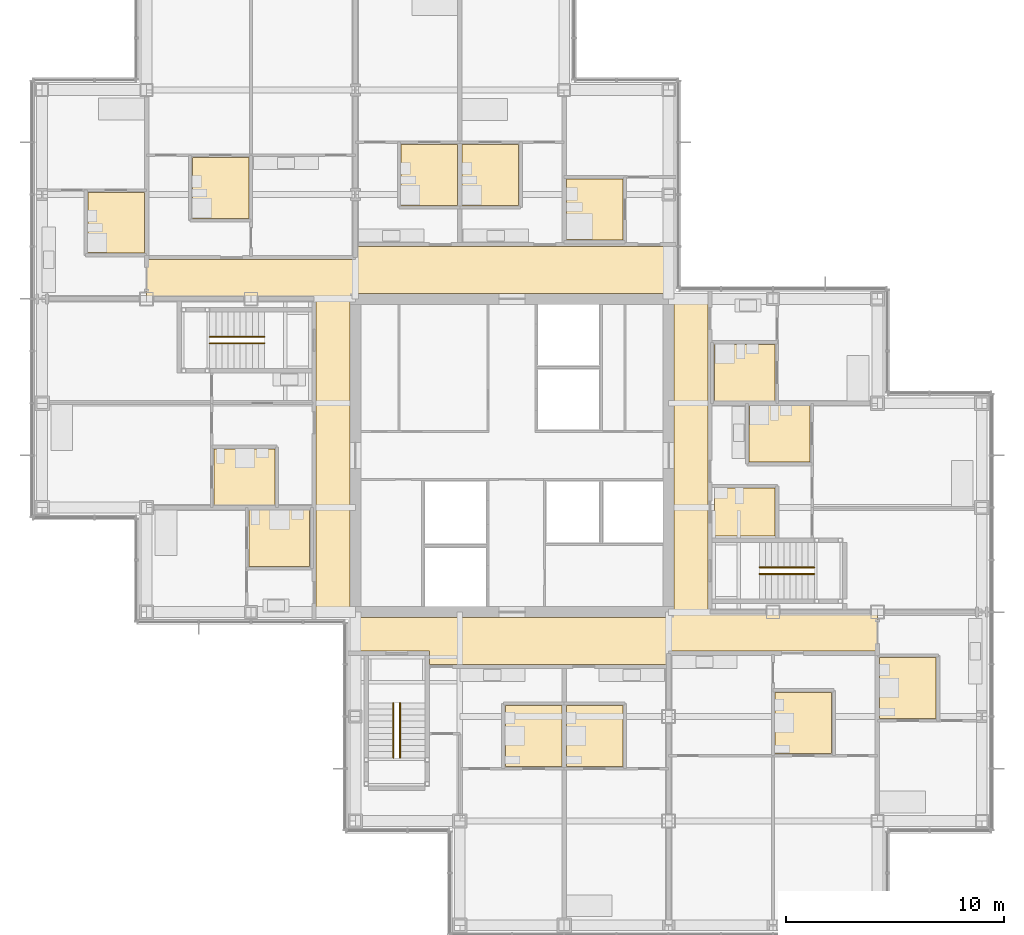
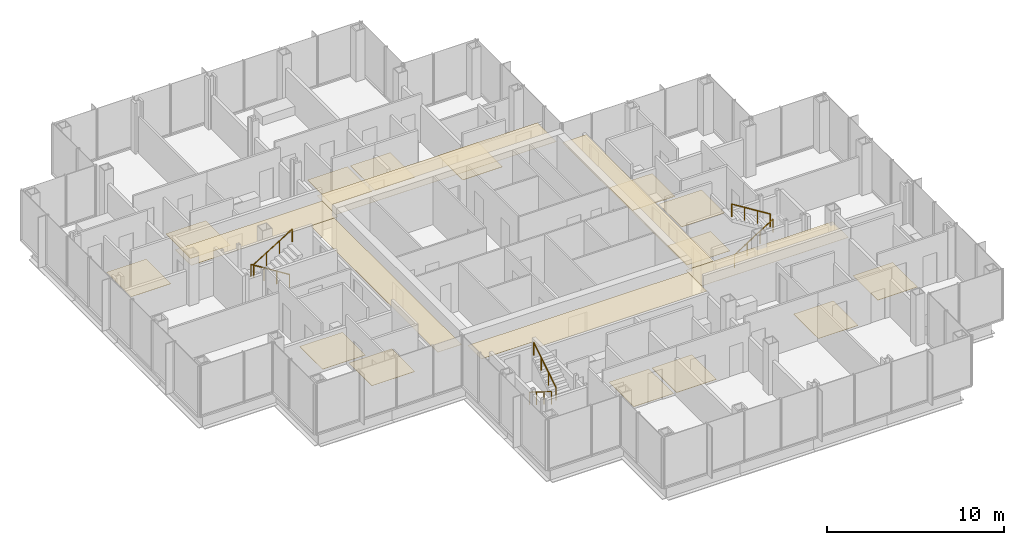
# One storey, part 18 of 20: 20 coverings, 6 railings.
"""IFC4 building model written with IfcOpenShell, lengths in metres."""

from ifc_helpers import new_model, si_unit, direction, frame, origin, origin_2d, place, context, subcontext, project, spatial, polyline, circle, outline, extrude, material, layer, layer_set, type_object, element, save


model = new_model("IFC4")

# Units and contexts
model_context = context("Model", 3, precision=1e-05, world=origin(), true_north=direction((0.0, 1.0)))
body_context = subcontext(model_context, "Body", "Model", "MODEL_VIEW")
ifc_project = project(units=[si_unit("LENGTHUNIT", "METRE"), si_unit("AREAUNIT", "SQUARE_METRE"), si_unit("VOLUMEUNIT", "CUBIC_METRE"), si_unit("PLANEANGLEUNIT", "RADIAN"), si_unit("MASSUNIT", "GRAM", prefix="KILO")], contexts=[model_context])

# Site, building, storey
site_placement = place(None, origin())
site = spatial("IfcSite", under=ifc_project, at=site_placement, CompositionType="ELEMENT")
building_placement = place(site_placement, origin())
building = spatial("IfcBuilding", under=site, at=building_placement, Name="Kvirike Care Tower", CompositionType="ELEMENT")
storey_placement = place(building_placement, frame((0.0, 0.0, 101.5)))
storey = spatial("IfcBuildingStorey", under=building, at=storey_placement, Name="L27", CompositionType="ELEMENT", Elevation=101.5)

# Coverings
ifc_material_1 = material(Name="Perforated metal ceiling tile", Category="aluminium")
ifc_layer_1 = layer(ifc_material_1, 0.014892578125)
ifc_layer_set_1 = layer_set([ifc_layer_1], Name="CORRIDOR CEILING 15")
covering_type_1 = type_object("IfcCoveringType", Name="CORRIDOR CEILING 15", PredefinedType="CEILING", material=ifc_layer_set_1)
covering_1_placement = place(storey_placement, frame((0.0, 0.0, 2.5)))
element("IfcCovering", 1, at=covering_1_placement, inside=storey, type_object=covering_type_1, Name="Corridor ceiling L27", PredefinedType="CEILING", context=body_context, shape_type="SweptSolid", body=[
    extrude(outline(polyline([(12.60009765625, 43.199951171875), (14.14990234375, 43.199951171875), (14.14990234375, 28.800048828125), (12.60009765625, 28.800048828125), (12.60009765625, 43.199951171875)])), origin(), (0.0, 0.0, 1.0), 0.014892578125),
])
covering_2_placement = place(storey_placement, frame((0.0, 0.0, 2.5)))
element("IfcCovering", 2, at=covering_2_placement, inside=storey, type_object=covering_type_1, Name="Corridor ceiling L27", PredefinedType="CEILING", context=body_context, shape_type="SweptSolid", body=[
    extrude(outline(polyline([(14.39990234375, 45.0), (14.39990234375, 43.199951171875), (4.800048828125, 43.199951171875), (4.800048828125, 45.0), (14.39990234375, 45.0)])), origin(), (0.0, 0.0, 1.0), 0.014892578125),
])
covering_3_placement = place(storey_placement, frame((0.0, 0.0, 2.5)))
element("IfcCovering", 3, at=covering_3_placement, inside=storey, type_object=covering_type_1, Name="Corridor ceiling L27", PredefinedType="CEILING", context=body_context, shape_type="SweptSolid", body=[
    extrude(outline(polyline([(14.39990234375, 28.550048828125), (28.800048828125, 28.550048828125), (28.800048828125, 26.39990234375), (17.800048828125, 26.39990234375), (17.800048828125, 27.0), (14.39990234375, 27.0), (14.39990234375, 28.550048828125)])), origin(), (0.0, 0.0, 1.0), 0.014892578125),
])
covering_4_placement = place(storey_placement, frame((0.0, 0.0, 2.5)))
element("IfcCovering", 4, at=covering_4_placement, inside=storey, type_object=covering_type_1, Name="Corridor ceiling L27", PredefinedType="CEILING", context=body_context, shape_type="SweptSolid", body=[
    extrude(outline(polyline([(28.800048828125, 45.60009765625), (28.800048828125, 43.449951171875), (14.39990234375, 43.449951171875), (14.39990234375, 45.60009765625), (28.800048828125, 45.60009765625)])), origin(), (0.0, 0.0, 1.0), 0.014892578125),
])
covering_5_placement = place(storey_placement, frame((0.0, 0.0, 2.5)))
element("IfcCovering", 5, at=covering_5_placement, inside=storey, type_object=covering_type_1, Name="Corridor ceiling L27", PredefinedType="CEILING", context=body_context, shape_type="SweptSolid", body=[
    extrude(outline(polyline([(28.800048828125, 27.0), (28.800048828125, 28.800048828125), (38.39990234375, 28.800048828125), (38.39990234375, 27.0), (28.800048828125, 27.0)])), origin(), (0.0, 0.0, 1.0), 0.014892578125),
])
covering_6_placement = place(storey_placement, frame((0.0, 0.0, 2.5)))
element("IfcCovering", 6, at=covering_6_placement, inside=storey, type_object=covering_type_1, Name="Corridor ceiling L27", PredefinedType="CEILING", context=body_context, shape_type="SweptSolid", body=[
    extrude(outline(polyline([(30.60009765625, 28.800048828125), (29.050048828125, 28.800048828125), (29.050048828125, 43.199951171875), (30.60009765625, 43.199951171875), (30.60009765625, 28.800048828125)])), origin(), (0.0, 0.0, 1.0), 0.014892578125),
])

# Railings
ifc_material_2 = material(Name="Stainless steel handrail", Category="steel")
railing_type = type_object("IfcRailingType", Name="STAIR HANDRAIL 900", PredefinedType="HANDRAIL", material=ifc_material_2)
railing_1_placement = place(storey_placement, frame((10.219970703125, 41.449951171875, 0.175048828125)))
element("IfcRailing", 7, at=railing_1_placement, inside=storey, type_object=railing_type, Name="Stair 1 handrail L27 flight 1", PredefinedType="HANDRAIL", context=body_context, shape_type="SweptSolid", body=[
    extrude(circle(Radius=0.02490234375, at=origin_2d()), frame((0.0, 0.0, 0.875), z_axis=(-0.848007534815, 0.0, 0.529984170421), x_axis=(0.0, -1.0, 0.0)), (0.0, 0.0, 1.0), 2.9716796875),
    extrude(circle(Radius=0.02001953125, at=origin_2d()), origin(), (0.0, 0.0, 1.0), 0.849853515625),
    extrude(circle(Radius=0.02001953125, at=origin_2d()), frame((-0.840087890625, 0.0, 0.52490234375)), (0.0, 0.0, 1.0), 0.849853515625),
    extrude(circle(Radius=0.02001953125, at=origin_2d()), frame((-1.679931640625, 0.0, 1.050048828125)), (0.0, 0.0, 1.0), 0.849853515625),
    extrude(circle(Radius=0.02001953125, at=origin_2d()), frame((-2.52001953125, 0.0, 1.574951171875)), (0.0, 0.0, 1.0), 0.849853515625),
])
for number, where, name in (
    (8, (7.699951171875, 41.14990234375, 1.925048828125), "Stair 1 handrail L27 flight 2"),
    (9, (32.97998046875, 30.550048828125, 0.175048828125), "Stair 2 handrail L27 flight 1"),
):
    element("IfcRailing", number, at=place(storey_placement, frame(where)), inside=storey, type_object=railing_type, Name=name, PredefinedType="HANDRAIL", context=body_context, shape_type="SweptSolid", body=[
        extrude(circle(Radius=0.02490234375, at=origin_2d()), frame((0.0, 0.0, 0.875), z_axis=(0.848007534815, 0.0, 0.529984170421), x_axis=(0.0, 1.0, 0.0)), (0.0, 0.0, 1.0), 2.9716796875),
        extrude(circle(Radius=0.02001953125, at=origin_2d()), origin(), (0.0, 0.0, 1.0), 0.849853515625),
        extrude(circle(Radius=0.02001953125, at=origin_2d()), frame((0.840087890625, 0.0, 0.52490234375)), (0.0, 0.0, 1.0), 0.849853515625),
        extrude(circle(Radius=0.02001953125, at=origin_2d()), frame((1.679931640625, 0.0, 1.050048828125)), (0.0, 0.0, 1.0), 0.849853515625),
        extrude(circle(Radius=0.02001953125, at=origin_2d()), frame((2.52001953125, 0.0, 1.574951171875)), (0.0, 0.0, 1.0), 0.849853515625),
    ])
railing_2_placement = place(storey_placement, frame((35.5, 30.85009765625, 1.925048828125)))
element("IfcRailing", 10, at=railing_2_placement, inside=storey, type_object=railing_type, Name="Stair 2 handrail L27 flight 2", PredefinedType="HANDRAIL", context=body_context, shape_type="SweptSolid", body=[
    extrude(circle(Radius=0.02490234375, at=origin_2d()), frame((0.0, 0.0, 0.875), z_axis=(-0.848007534815, 0.0, 0.529984170421), x_axis=(0.0, -1.0, 0.0)), (0.0, 0.0, 1.0), 2.9716796875),
    extrude(circle(Radius=0.02001953125, at=origin_2d()), origin(), (0.0, 0.0, 1.0), 0.849853515625),
    extrude(circle(Radius=0.02001953125, at=origin_2d()), frame((-0.840087890625, 0.0, 0.52490234375)), (0.0, 0.0, 1.0), 0.849853515625),
    extrude(circle(Radius=0.02001953125, at=origin_2d()), frame((-1.679931640625, 0.0, 1.050048828125)), (0.0, 0.0, 1.0), 0.849853515625),
    extrude(circle(Radius=0.02001953125, at=origin_2d()), frame((-2.52001953125, 0.0, 1.574951171875)), (0.0, 0.0, 1.0), 0.849853515625),
])
railing_3_placement = place(storey_placement, frame((16.14990234375, 24.6201171875, 0.175048828125)))
element("IfcRailing", 11, at=railing_3_placement, inside=storey, type_object=railing_type, Name="Stair 5 handrail L27 flight 1", PredefinedType="HANDRAIL", context=body_context, shape_type="SweptSolid", body=[
    extrude(circle(Radius=0.02490234375, at=origin_2d()), frame((0.0, 0.0, 0.875), z_axis=(0.0, -0.848007534815, 0.529984170421), x_axis=(1.0, 0.0, 0.0)), (0.0, 0.0, 1.0), 2.9716796875),
    extrude(circle(Radius=0.02001953125, at=origin_2d()), origin(), (0.0, 0.0, 1.0), 0.849853515625),
    extrude(circle(Radius=0.02001953125, at=origin_2d()), frame((0.0, -0.840087890625, 0.52490234375)), (0.0, 0.0, 1.0), 0.849853515625),
    extrude(circle(Radius=0.02001953125, at=origin_2d()), frame((0.0, -1.679931640625, 1.050048828125)), (0.0, 0.0, 1.0), 0.849853515625),
    extrude(circle(Radius=0.02001953125, at=origin_2d()), frame((0.0, -2.52001953125, 1.574951171875)), (0.0, 0.0, 1.0), 0.849853515625),
])
railing_4_placement = place(storey_placement, frame((16.449951171875, 22.10009765625, 1.925048828125)))
element("IfcRailing", 12, at=railing_4_placement, inside=storey, type_object=railing_type, Name="Stair 5 handrail L27 flight 2", PredefinedType="HANDRAIL", context=body_context, shape_type="SweptSolid", body=[
    extrude(circle(Radius=0.02490234375, at=origin_2d()), frame((0.0, 0.0, 0.875), z_axis=(0.0, 0.848007534815, 0.529984170421), x_axis=(-1.0, 0.0, 0.0)), (0.0, 0.0, 1.0), 2.9716796875),
    extrude(circle(Radius=0.02001953125, at=origin_2d()), origin(), (0.0, 0.0, 1.0), 0.849853515625),
    extrude(circle(Radius=0.02001953125, at=origin_2d()), frame((0.0, 0.840087890625, 0.52490234375)), (0.0, 0.0, 1.0), 0.849853515625),
    extrude(circle(Radius=0.02001953125, at=origin_2d()), frame((0.0, 1.679931640625, 1.050048828125)), (0.0, 0.0, 1.0), 0.849853515625),
    extrude(circle(Radius=0.02001953125, at=origin_2d()), frame((0.0, 2.52001953125, 1.574951171875)), (0.0, 0.0, 1.0), 0.849853515625),
])

# Coverings
ifc_material_3 = material(Name="Slip-resistant vinyl safety flooring on screed")
ifc_layer_2 = layer(ifc_material_3, 0.02001953125)
ifc_layer_set_2 = layer_set([ifc_layer_2], Name="WET ROOM FLOOR 20")
covering_type_2 = type_object("IfcCoveringType", Name="WET ROOM FLOOR 20", PredefinedType="FLOORING", material=ifc_layer_set_2)
covering_7_placement = place(storey_placement, origin())
element("IfcCovering", 13, at=covering_7_placement, inside=storey, type_object=covering_type_2, Name="En-suite floor L27-005", PredefinedType="FLOORING", context=body_context, shape_type="SweptSolid", body=[
    extrude(outline(polyline([(7.89990234375, 36.300048828125), (10.699951171875, 36.300048828125), (10.699951171875, 33.699951171875), (7.89990234375, 33.699951171875), (7.89990234375, 36.300048828125)])), origin(), (0.0, 0.0, 1.0), 0.02001953125),
])
covering_8_placement = place(storey_placement, origin())
element("IfcCovering", 14, at=covering_8_placement, inside=storey, type_object=covering_type_2, Name="En-suite floor L27-009", PredefinedType="FLOORING", context=body_context, shape_type="SweptSolid", body=[
    extrude(outline(polyline([(9.5, 33.5), (12.300048828125, 33.5), (12.300048828125, 30.89990234375), (9.5, 30.89990234375), (9.5, 33.5)])), origin(), (0.0, 0.0, 1.0), 0.02001953125),
])
covering_9_placement = place(storey_placement, origin())
element("IfcCovering", 15, at=covering_9_placement, inside=storey, type_object=covering_type_2, Name="En-suite floor L27-014", PredefinedType="FLOORING", context=body_context, shape_type="SweptSolid", body=[
    extrude(outline(polyline([(9.5, 49.699951171875), (9.5, 46.89990234375), (6.89990234375, 46.89990234375), (6.89990234375, 49.699951171875), (9.5, 49.699951171875)])), origin(), (0.0, 0.0, 1.0), 0.02001953125),
])
covering_10_placement = place(storey_placement, origin())
element("IfcCovering", 16, at=covering_10_placement, inside=storey, type_object=covering_type_2, Name="En-suite floor L27-018", PredefinedType="FLOORING", context=body_context, shape_type="SweptSolid", body=[
    extrude(outline(polyline([(4.699951171875, 48.10009765625), (4.699951171875, 45.300048828125), (2.10009765625, 45.300048828125), (2.10009765625, 48.10009765625), (4.699951171875, 48.10009765625)])), origin(), (0.0, 0.0, 1.0), 0.02001953125),
])
covering_11_placement = place(storey_placement, origin())
element("IfcCovering", 17, at=covering_11_placement, inside=storey, type_object=covering_type_2, Name="En-suite floor L27-024", PredefinedType="FLOORING", context=body_context, shape_type="SweptSolid", body=[
    extrude(outline(polyline([(21.300048828125, 21.699951171875), (21.300048828125, 24.5), (23.89990234375, 24.5), (23.89990234375, 21.699951171875), (21.300048828125, 21.699951171875)])), origin(), (0.0, 0.0, 1.0), 0.02001953125),
])
covering_12_placement = place(storey_placement, origin())
element("IfcCovering", 18, at=covering_12_placement, inside=storey, type_object=covering_type_2, Name="En-suite floor L27-027", PredefinedType="FLOORING", context=body_context, shape_type="SweptSolid", body=[
    extrude(outline(polyline([(24.10009765625, 21.699951171875), (24.10009765625, 24.5), (26.699951171875, 24.5), (26.699951171875, 21.699951171875), (24.10009765625, 21.699951171875)])), origin(), (0.0, 0.0, 1.0), 0.02001953125),
])
covering_13_placement = place(storey_placement, origin())
element("IfcCovering", 19, at=covering_13_placement, inside=storey, type_object=covering_type_2, Name="Assisted bathroom floor L27-031", PredefinedType="FLOORING", context=body_context, shape_type="SweptSolid", body=[
    extrude(outline(polyline([(26.699951171875, 48.699951171875), (26.699951171875, 45.89990234375), (24.10009765625, 45.89990234375), (24.10009765625, 48.699951171875), (26.699951171875, 48.699951171875)])), origin(), (0.0, 0.0, 1.0), 0.02001953125),
])
covering_14_placement = place(storey_placement, origin())
element("IfcCovering", 20, at=covering_14_placement, inside=storey, type_object=covering_type_2, Name="En-suite floor L27-034", PredefinedType="FLOORING", context=body_context, shape_type="SweptSolid", body=[
    extrude(outline(polyline([(21.89990234375, 50.300048828125), (21.89990234375, 47.5), (19.300048828125, 47.5), (19.300048828125, 50.300048828125), (21.89990234375, 50.300048828125)])), origin(), (0.0, 0.0, 1.0), 0.02001953125),
])
covering_15_placement = place(storey_placement, origin())
element("IfcCovering", 21, at=covering_15_placement, inside=storey, type_object=covering_type_2, Name="En-suite floor L27-037", PredefinedType="FLOORING", context=body_context, shape_type="SweptSolid", body=[
    extrude(outline(polyline([(19.10009765625, 50.300048828125), (19.10009765625, 47.5), (16.5, 47.5), (16.5, 50.300048828125), (19.10009765625, 50.300048828125)])), origin(), (0.0, 0.0, 1.0), 0.02001953125),
])
covering_16_placement = place(storey_placement, origin())
element("IfcCovering", 22, at=covering_16_placement, inside=storey, type_object=covering_type_2, Name="En-suite floor L27-042", PredefinedType="FLOORING", context=body_context, shape_type="SweptSolid", body=[
    extrude(outline(polyline([(33.699951171875, 22.300048828125), (33.699951171875, 25.10009765625), (36.300048828125, 25.10009765625), (36.300048828125, 22.300048828125), (33.699951171875, 22.300048828125)])), origin(), (0.0, 0.0, 1.0), 0.02001953125),
])
covering_17_placement = place(storey_placement, origin())
element("IfcCovering", 23, at=covering_17_placement, inside=storey, type_object=covering_type_2, Name="En-suite floor L27-046", PredefinedType="FLOORING", context=body_context, shape_type="SweptSolid", body=[
    extrude(outline(polyline([(38.5, 23.89990234375), (38.5, 26.699951171875), (41.10009765625, 26.699951171875), (41.10009765625, 23.89990234375), (38.5, 23.89990234375)])), origin(), (0.0, 0.0, 1.0), 0.02001953125),
])
covering_18_placement = place(storey_placement, origin())
element("IfcCovering", 24, at=covering_18_placement, inside=storey, type_object=covering_type_2, Name="Accessible WC floor L27-052", PredefinedType="FLOORING", context=body_context, shape_type="SweptSolid", body=[
    extrude(outline(polyline([(33.699951171875, 32.300048828125), (30.89990234375, 32.300048828125), (30.89990234375, 34.5), (33.699951171875, 34.5), (33.699951171875, 32.300048828125)])), origin(), (0.0, 0.0, 1.0), 0.02001953125),
])
covering_19_placement = place(storey_placement, origin())
element("IfcCovering", 25, at=covering_19_placement, inside=storey, type_object=covering_type_2, Name="En-suite floor L27-053", PredefinedType="FLOORING", context=body_context, shape_type="SweptSolid", body=[
    extrude(outline(polyline([(35.300048828125, 35.699951171875), (32.5, 35.699951171875), (32.5, 38.300048828125), (35.300048828125, 38.300048828125), (35.300048828125, 35.699951171875)])), origin(), (0.0, 0.0, 1.0), 0.02001953125),
])
covering_20_placement = place(storey_placement, origin())
element("IfcCovering", 26, at=covering_20_placement, inside=storey, type_object=covering_type_2, Name="En-suite floor L27-056", PredefinedType="FLOORING", context=body_context, shape_type="SweptSolid", body=[
    extrude(outline(polyline([(33.699951171875, 38.5), (30.89990234375, 38.5), (30.89990234375, 41.10009765625), (33.699951171875, 41.10009765625), (33.699951171875, 38.5)])), origin(), (0.0, 0.0, 1.0), 0.02001953125),
])

save(model, "model.ifc")
